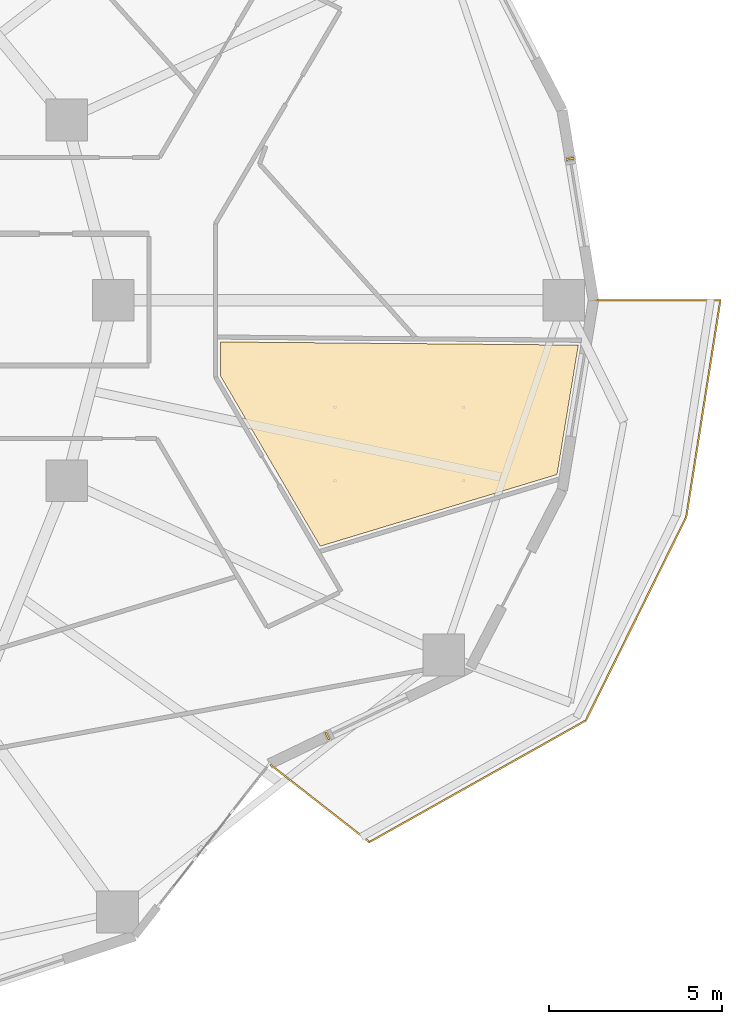
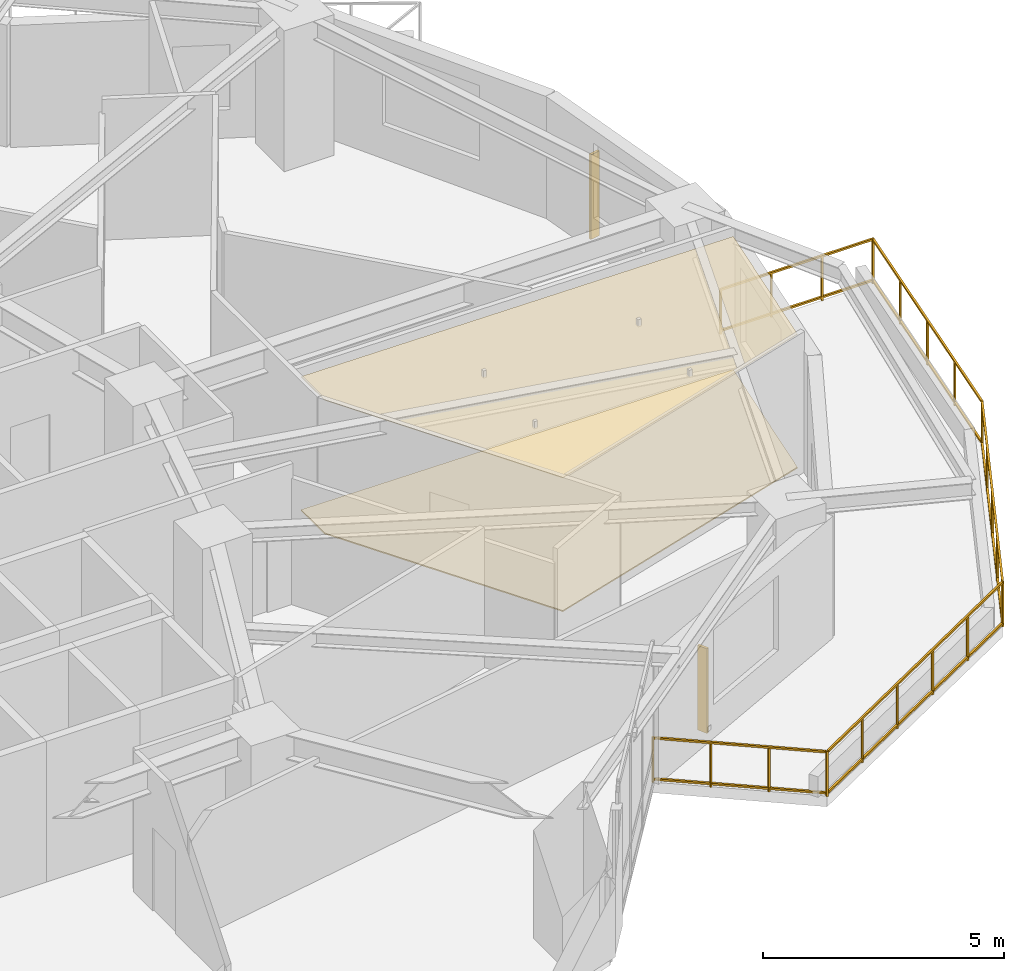
# One storey, part 17 of 18: 2 coverings, 2 shading devices, 1 railing.
"""IFC4 building model written with IfcOpenShell, lengths in metres."""

from ifc_helpers import new_model, si_unit, direction, frame, origin, origin_2d, place, context, subcontext, project, spatial, polyline, rectangle, outline, extrude, material, layer, layer_set, type_object, element, save


model = new_model("IFC4")

# Units and contexts
model_context = context("Model", 3, precision=1e-05, world=origin(), true_north=direction((0.0, 1.0)))
body_context = subcontext(model_context, "Body", "Model", "MODEL_VIEW")
ifc_project = project(units=[si_unit("LENGTHUNIT", "METRE"), si_unit("AREAUNIT", "SQUARE_METRE"), si_unit("VOLUMEUNIT", "CUBIC_METRE"), si_unit("PLANEANGLEUNIT", "RADIAN"), si_unit("MASSUNIT", "GRAM", prefix="KILO")], contexts=[model_context])

# Site, building, storey
site_placement = place(None, origin())
site = spatial("IfcSite", under=ifc_project, at=site_placement, CompositionType="ELEMENT")
building_placement = place(site_placement, origin())
building = spatial("IfcBuilding", under=site, at=building_placement, Name="Kolvaren Gate Tower and Convention Centre", CompositionType="ELEMENT")
storey_placement = place(building_placement, frame((0.0, 0.0, 53.449951171875)))
storey = spatial("IfcBuildingStorey", under=building, at=storey_placement, Name="L12", CompositionType="ELEMENT", Elevation=53.449951171875)

# Coverings
ifc_material_1 = material(Name="Perforated Mineral-Fibre Acoustic Ceiling Tile 18 mm", Category="gypsum")
ifc_layer_1 = layer(ifc_material_1, 0.01806640625)
ifc_layer_set_1 = layer_set([ifc_layer_1], Name="Perforated Mineral-Fibre Acoustic Ceiling Tile 18 mm")
covering_type_1 = type_object("IfcCoveringType", Name="ARCH-COV-CEIL-18", PredefinedType="CEILING", material=ifc_layer_set_1)
covering_1_placement = place(storey_placement, frame((0.0, 0.0, 3.39013671875)))
element("IfcCovering", 1, at=covering_1_placement, inside=storey, type_object=covering_type_1, Name="Materials Exhibition Boutique Acoustic Suspended Ceiling", PredefinedType="CEILING", context=body_context, shape_type="SweptSolid", body=[
    extrude(outline(polyline([(48.68994140625, 19.9150390625), (45.81005859375, 24.8310546875), (45.81005859375, 25.802978515625), (56.126953125, 25.7109375), (55.513916015625, 21.98095703125), (48.68994140625, 19.9150390625)])), origin(), (0.0, 0.0, 1.0), 0.017822265625),
])
ifc_material_2 = material(Name="Honed Sabana Limestone Terrazzo Flooring 30 mm", Category="masonry")
ifc_layer_2 = layer(ifc_material_2, 0.030029296875)
ifc_layer_set_2 = layer_set([ifc_layer_2], Name="Honed Sabana Limestone Terrazzo Flooring 30 mm")
covering_type_2 = type_object("IfcCoveringType", Name="ARCH-COV-FLR-30", PredefinedType="FLOORING", material=ifc_layer_set_2)
covering_2_placement = place(storey_placement, origin())
element("IfcCovering", 2, at=covering_2_placement, inside=storey, type_object=covering_type_2, Name="Materials Exhibition Boutique Interior Finish Flooring", PredefinedType="FLOORING", context=body_context, shape_type="SweptSolid", body=[
    extrude(outline(polyline([(48.68994140625, 19.9150390625), (45.81005859375, 24.8310546875), (45.81005859375, 25.802978515625), (56.126953125, 25.7109375), (55.513916015625, 21.98095703125), (48.68994140625, 19.9150390625)])), origin(), (0.0, 0.0, 1.0), 0.030029296875),
])

# Railing
ifc_material_3 = material(Name="Brushed Stainless Steel Grade 316L", Category="steel")
railing_type = type_object("IfcRailingType", Name="ARCH-RL-GUARD-1150", PredefinedType="GUARDRAIL", material=ifc_material_3)
railing_placement = place(storey_placement, frame((47.223876953125, 13.639892578125, 0.0)))
element("IfcRailing", 3, at=railing_placement, inside=storey, type_object=railing_type, Name="Tower L12 Terrace Perimeter Guardrail GR-4", PredefinedType="GUARDRAIL", context=body_context, shape_type="SweptSolid", body=[
    extrude(rectangle(XDim=0.048095703125, YDim=0.048095703125, at=origin_2d()), frame((0.022216796875, -0.017333984375, 1.1259765625), z_axis=(0.787988976981, -0.61568934712, 0.0), x_axis=(0.61568934712, 0.787988976981, 0.0)), (0.0, 0.0, 1.0), 3.60400390625),
    extrude(rectangle(XDim=0.048095703125, YDim=0.048095703125, at=origin_2d()), frame((0.022216796875, -0.017333984375, 0.083984375), z_axis=(0.787988976981, -0.61568934712, 0.0), x_axis=(0.61568934712, 0.787988976981, 0.0)), (0.0, 0.0, 1.0), 3.60400390625),
    extrude(rectangle(XDim=0.048095703125, YDim=0.048095703125, at=origin_2d()), frame((2.908447265625, -2.23974609375, 1.1259765625), z_axis=(0.871783301661, 0.489891697159, 0.0), x_axis=(-0.489891697159, 0.871783301661, 0.0)), (0.0, 0.0, 1.0), 7.096435546875),
    extrude(rectangle(XDim=0.048095703125, YDim=0.048095703125, at=origin_2d()), frame((2.908447265625, -2.23974609375, 0.083984375), z_axis=(0.871783301661, 0.489891697159, 0.0), x_axis=(-0.489891697159, 0.871783301661, 0.0)), (0.0, 0.0, 1.0), 7.096435546875),
    extrude(rectangle(XDim=0.048095703125, YDim=0.048095703125, at=origin_2d()), frame((9.1318359375, 1.275634765625, 1.1259765625), z_axis=(0.442686636348, 0.89667638644, 0.0), x_axis=(-0.89667638644, 0.442686636348, 0.0)), (0.0, 0.0, 1.0), 6.488525390625),
    extrude(rectangle(XDim=0.048095703125, YDim=0.048095703125, at=origin_2d()), frame((9.1318359375, 1.275634765625, 0.083984375), z_axis=(0.442686636348, 0.89667638644, 0.0), x_axis=(-0.89667638644, 0.442686636348, 0.0)), (0.0, 0.0, 1.0), 6.488525390625),
    extrude(rectangle(XDim=0.048095703125, YDim=0.048095703125, at=origin_2d()), frame((12.02099609375, 7.146484375, 1.1259765625), z_axis=(0.155418843943, 0.98784866399, 0.0), x_axis=(-0.98784866399, 0.155418843943, 0.0)), (0.0, 0.0, 1.0), 6.261962890625),
    extrude(rectangle(XDim=0.048095703125, YDim=0.048095703125, at=origin_2d()), frame((12.02099609375, 7.146484375, 0.083984375), z_axis=(0.155418843943, 0.98784866399, 0.0), x_axis=(-0.98784866399, 0.155418843943, 0.0)), (0.0, 0.0, 1.0), 6.261962890625),
    extrude(rectangle(XDim=0.048095703125, YDim=0.048095703125, at=origin_2d()), frame((12.970458984375, 13.360107421875, 1.1259765625), z_axis=(-1.0, 0.0, 0.0), x_axis=(0.0, -1.0, 0.0)), (0.0, 0.0, 1.0), 3.603759765625),
    extrude(rectangle(XDim=0.048095703125, YDim=0.048095703125, at=origin_2d()), frame((12.970458984375, 13.360107421875, 0.083984375), z_axis=(-1.0, 0.0, 0.0), x_axis=(0.0, -1.0, 0.0)), (0.0, 0.0, 1.0), 3.603759765625),
    extrude(rectangle(XDim=0.0419921875, YDim=0.0419921875, at=origin_2d()), origin(), (0.0, 0.0, 1.0), 1.14990234375),
    extrude(rectangle(XDim=0.0419921875, YDim=0.0419921875, at=origin_2d()), frame((2.884033203125, -2.25341796875, 0.0)), (0.0, 0.0, 1.0), 1.14990234375),
    extrude(rectangle(XDim=0.0419921875, YDim=0.0419921875, at=origin_2d()), frame((0.96142578125, -0.751220703125, 0.0)), (0.0, 0.0, 1.0), 1.099853515625),
    extrude(rectangle(XDim=0.0419921875, YDim=0.0419921875, at=origin_2d()), frame((1.922607421875, -1.502197265625, 0.0)), (0.0, 0.0, 1.0), 1.099853515625),
    extrude(rectangle(XDim=0.0419921875, YDim=0.0419921875, at=origin_2d()), frame((9.119384765625, 1.25048828125, 0.0)), (0.0, 0.0, 1.0), 1.14990234375),
    extrude(rectangle(XDim=0.0419921875, YDim=0.0419921875, at=origin_2d()), frame((4.131103515625, -1.552734375, 0.0)), (0.0, 0.0, 1.0), 1.099853515625),
    extrude(rectangle(XDim=0.0419921875, YDim=0.0419921875, at=origin_2d()), frame((5.378173828125, -0.851806640625, 0.0)), (0.0, 0.0, 1.0), 1.099853515625),
    extrude(rectangle(XDim=0.0419921875, YDim=0.0419921875, at=origin_2d()), frame((6.625244140625, -0.151123046875, 0.0)), (0.0, 0.0, 1.0), 1.099853515625),
    extrude(rectangle(XDim=0.0419921875, YDim=0.0419921875, at=origin_2d()), frame((7.872314453125, 0.5498046875, 0.0)), (0.0, 0.0, 1.0), 1.099853515625),
    extrude(rectangle(XDim=0.0419921875, YDim=0.0419921875, at=origin_2d()), frame((12.0166015625, 7.118896484375, 0.0)), (0.0, 0.0, 1.0), 1.14990234375),
    extrude(rectangle(XDim=0.0419921875, YDim=0.0419921875, at=origin_2d()), frame((9.84375, 2.717529296875, 0.0)), (0.0, 0.0, 1.0), 1.099853515625),
    extrude(rectangle(XDim=0.0419921875, YDim=0.0419921875, at=origin_2d()), frame((10.56787109375, 4.1845703125, 0.0)), (0.0, 0.0, 1.0), 1.099853515625),
    extrude(rectangle(XDim=0.0419921875, YDim=0.0419921875, at=origin_2d()), frame((11.292236328125, 5.65185546875, 0.0)), (0.0, 0.0, 1.0), 1.099853515625),
    extrude(rectangle(XDim=0.0419921875, YDim=0.0419921875, at=origin_2d()), frame((12.99853515625, 13.360107421875, 0.0)), (0.0, 0.0, 1.0), 1.14990234375),
    extrude(rectangle(XDim=0.0419921875, YDim=0.0419921875, at=origin_2d()), frame((12.26220703125, 8.67919921875, 0.0)), (0.0, 0.0, 1.0), 1.099853515625),
    extrude(rectangle(XDim=0.0419921875, YDim=0.0419921875, at=origin_2d()), frame((12.507568359375, 10.239501953125, 0.0)), (0.0, 0.0, 1.0), 1.099853515625),
    extrude(rectangle(XDim=0.0419921875, YDim=0.0419921875, at=origin_2d()), frame((12.7529296875, 11.7998046875, 0.0)), (0.0, 0.0, 1.0), 1.099853515625),
    extrude(rectangle(XDim=0.0419921875, YDim=0.0419921875, at=origin_2d()), frame((9.338623046875, 13.360107421875, 0.0)), (0.0, 0.0, 1.0), 1.14990234375),
    extrude(rectangle(XDim=0.0419921875, YDim=0.0419921875, at=origin_2d()), frame((11.778564453125, 13.360107421875, 0.0)), (0.0, 0.0, 1.0), 1.099853515625),
    extrude(rectangle(XDim=0.0419921875, YDim=0.0419921875, at=origin_2d()), frame((10.55859375, 13.360107421875, 0.0)), (0.0, 0.0, 1.0), 1.099853515625),
])

# Shading devices
ifc_material_4 = material(Name="Kiln-Fired Bogota Terracotta Ceramic Louvre Profile", Category="masonry")
shading_device_type = type_object("IfcShadingDeviceType", Name="ARCH-SHD-FIN-180", PredefinedType="JALOUSIE", material=ifc_material_4)
for number, where, z_axis, x_axis, name in (
    (4, (55.891357421875, 31.078857421875, 0.22021484375), (0.0, 0.0, 1.0), (0.162375401515, -0.986729055508, 0.0), "Ceramic Vertical Brise-Soleil Fin FN-L12-00"),
    (5, (48.89599609375, 14.443359375, 0.22021484375), (0.0, 0.0, 1.0), (0.901357634097, 0.433075530889, 0.0), "Ceramic Vertical Brise-Soleil Fin FN-L12-21"),
):
    element("IfcShadingDevice", number, at=place(storey_placement, frame(where, z_axis=z_axis, x_axis=x_axis)), inside=storey, type_object=shading_device_type, Name=name, PredefinedType="JALOUSIE", context=body_context, shape_type="SweptSolid", body=[
        extrude(rectangle(XDim=0.06005859375, YDim=0.239990234375, at=origin_2d()), origin(), (0.0, 0.0, 1.0), 2.14990234375),
    ])

save(model, "model.ifc")
